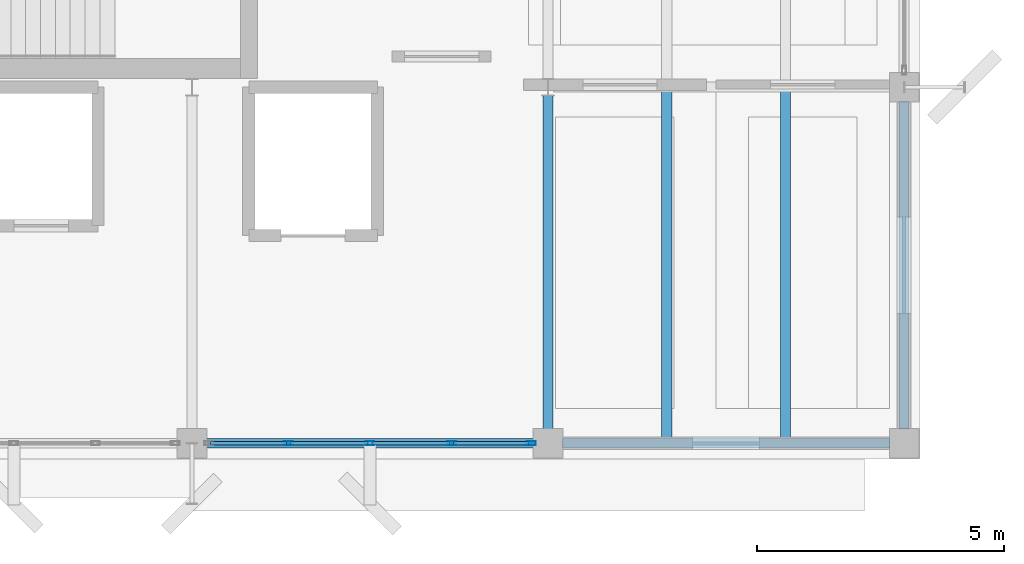
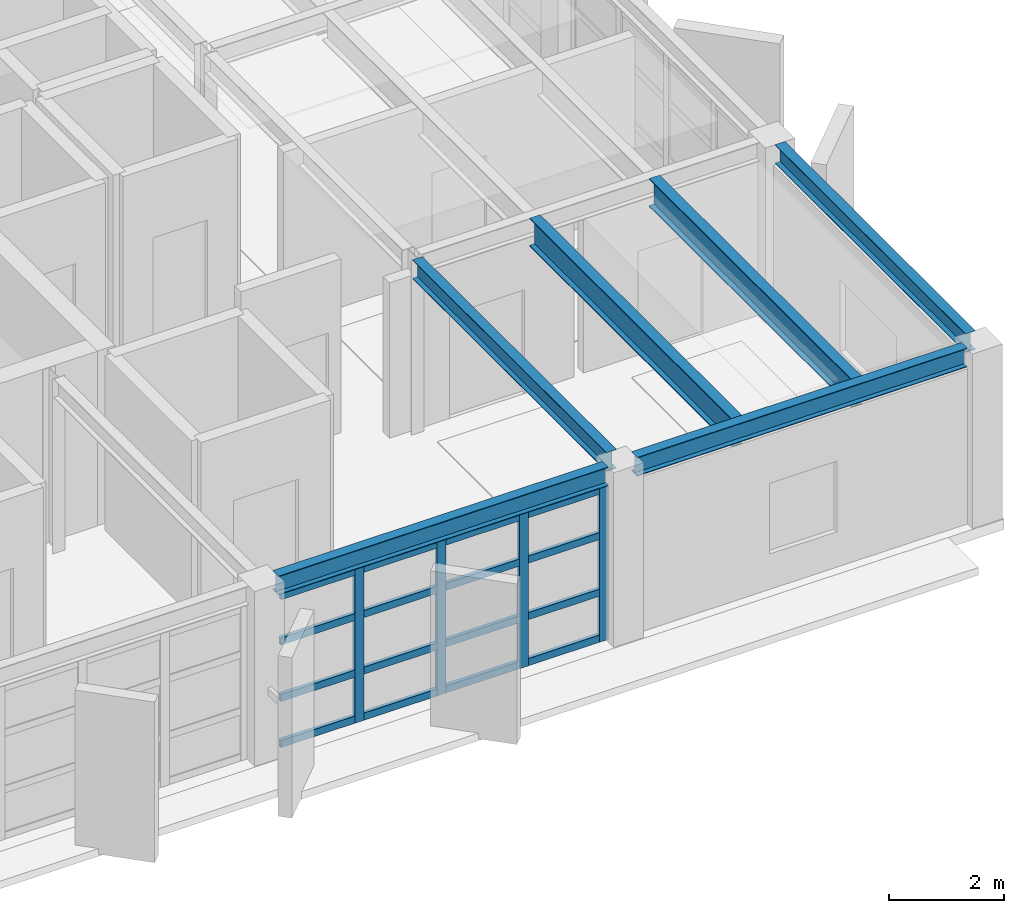
# One storey, part 5 of 15: 20 members, 6 beams, 1 element without a shape of its own.
"""IFC4 building model written with IfcOpenShell, lengths in metres."""

from ifc_helpers import new_model, si_unit, direction, frame, origin, origin_2d, place, context, subcontext, project, spatial, hollow_rectangle, i_section, extrude, material, layer, layer_set, material_profile, profile_set, type_object, element, aggregate, save


model = new_model("IFC4")

# Units and contexts
model_context = context("Model", 3, precision=1e-05, world=origin(), true_north=direction((0.0, 1.0)))
body_context = subcontext(model_context, "Body", "Model", "MODEL_VIEW")
ifc_project = project(units=[si_unit("LENGTHUNIT", "METRE"), si_unit("AREAUNIT", "SQUARE_METRE"), si_unit("VOLUMEUNIT", "CUBIC_METRE"), si_unit("PLANEANGLEUNIT", "RADIAN"), si_unit("MASSUNIT", "GRAM", prefix="KILO")], contexts=[model_context])

# Site, building, storey
site_placement = place(None, origin())
site = spatial("IfcSite", under=ifc_project, at=site_placement, CompositionType="ELEMENT")
building_placement = place(site_placement, origin())
building = spatial("IfcBuilding", under=site, at=building_placement, Name="Kandorven Conservatory and Botanical Research Centre", CompositionType="ELEMENT")
storey_placement = place(building_placement, frame((0.0, 0.0, 52.199951171875)))
storey = spatial("IfcBuildingStorey", under=building, at=storey_placement, Name="L13", CompositionType="ELEMENT", Elevation=52.199951171875)

# Beams
ifc_material_1 = material(Name="Steel S355 (IS 2062 E350)", Category="steel")
ifc_material_profile_1 = material_profile(ifc_material_1, i_section(OverallWidth=0.199951171875, OverallDepth=0.39990234375, WebThickness=0.008544921875, FlangeThickness=0.012939453125, at=origin_2d()))
ifc_profile_set_1 = profile_set([ifc_material_profile_1], Name="Steel S355 (IS 2062 E350)")
beam_type_1 = type_object("IfcBeamType", Name="Beam_FG-03", PredefinedType="USERDEFINED", material=ifc_profile_set_1)
for number, where, z_axis, x_axis, name in (
    (1, (20.68994140625, 6.0, 3.505126953125), (1.0, 0.0, 0.0), (0.0, 1.0, 0.0), "Primary girder FG-03 TWR L13"),
    (2, (27.889892578125, 6.0, 3.505126953125), (1.0, 0.0, 0.0), (0.0, 1.0, 0.0), "Primary girder FG-03 TWR L13"),
):
    element("IfcBeam", number, at=place(storey_placement, frame(where, z_axis=z_axis, x_axis=x_axis)), inside=storey, type_object=beam_type_1, Name=name, ObjectType="GIRDER", PredefinedType="USERDEFINED", context=body_context, shape_type="SweptSolid", body=[
        extrude(i_section(OverallWidth=0.199951171875, OverallDepth=0.39990234375, WebThickness=0.008544921875, FlangeThickness=0.012939453125, at=origin_2d()), origin(), (0.0, 0.0, 1.0), 6.6201171875),
    ])
beam_1_placement = place(storey_placement, frame((27.60009765625, 6.2900390625, 3.505126953125), z_axis=(0.0, 1.0, 0.0), x_axis=(-1.0, 0.0, 0.0)))
element("IfcBeam", 3, at=beam_1_placement, inside=storey, type_object=beam_type_1, Name="Primary girder FG-03 TWR L13", ObjectType="GIRDER", PredefinedType="USERDEFINED", context=body_context, shape_type="SweptSolid", body=[
    extrude(i_section(OverallWidth=0.199951171875, OverallDepth=0.39990234375, WebThickness=0.008544921875, FlangeThickness=0.012939453125, at=origin_2d()), origin(), (0.0, 0.0, 1.0), 6.744873046875),
])
beam_2_placement = place(storey_placement, frame((34.800048828125, 6.2900390625, 3.505126953125), z_axis=(0.0, 1.0, 0.0), x_axis=(-1.0, 0.0, 0.0)))
element("IfcBeam", 4, at=beam_2_placement, inside=storey, type_object=beam_type_1, Name="Primary girder FG-03 TWR L13", ObjectType="GIRDER", PredefinedType="USERDEFINED", context=body_context, shape_type="SweptSolid", body=[
    extrude(i_section(OverallWidth=0.199951171875, OverallDepth=0.39990234375, WebThickness=0.008544921875, FlangeThickness=0.012939453125, at=origin_2d()), origin(), (0.0, 0.0, 1.0), 6.619873046875),
])
ifc_material_2 = material(Name="Steel S355 (IS 2062 E350)", Category="steel")
ifc_material_profile_2 = material_profile(ifc_material_2, i_section(OverallWidth=0.2099609375, OverallDepth=0.60009765625, WebThickness=0.011962890625, FlangeThickness=0.020751953125, at=origin_2d()))
ifc_profile_set_2 = profile_set([ifc_material_profile_2], Name="Steel S355 (IS 2062 E350)")
beam_type_2 = type_object("IfcBeamType", Name="Beam_SB-01", PredefinedType="BEAM", material=ifc_profile_set_2)
for number, where, z_axis, x_axis, name in (
    (5, (30.0, 6.0849609375, 3.405029296875), (0.0, 1.0, 0.0), (-1.0, 0.0, 0.0), "Composite secondary beam SB-01 TWR L13"),
    (6, (32.39990234375, 6.0849609375, 3.405029296875), (0.0, 1.0, 0.0), (-1.0, 0.0, 0.0), "Composite secondary beam SB-01 TWR L13"),
):
    element("IfcBeam", number, at=place(storey_placement, frame(where, z_axis=z_axis, x_axis=x_axis)), inside=storey, type_object=beam_type_2, Name=name, PredefinedType="BEAM", context=body_context, shape_type="SweptSolid", body=[
        extrude(i_section(OverallWidth=0.2099609375, OverallDepth=0.60009765625, WebThickness=0.011962890625, FlangeThickness=0.020751953125, at=origin_2d()), origin(), (0.0, 0.0, 1.0), 7.030029296875),
    ])

# Curtain wall, members
ifc_material_3 = material(Name="Bronze anodised thermally broken aluminium", Category="aluminium")
ifc_layer = layer(ifc_material_3, 0.179931640625)
ifc_layer_set = layer_set([ifc_layer], Name="Bronze anodised thermally broken aluminium")
curtain_wall_type = type_object("IfcCurtainWallType", Name="CW_Unitised", PredefinedType="USERDEFINED", material=ifc_layer_set)
curtain_wall_placement = place(storey_placement, origin())
curtain_wall = element("IfcCurtainWall", 7, at=curtain_wall_placement, inside=storey, type_object=curtain_wall_type, Name="Tower laboratory curtain wall CW-TWR-S-L13-3", ObjectType="UNITISED GLAZING", PredefinedType="USERDEFINED")
ifc_material_4 = material(Name="Bronze anodised thermally broken aluminium", Category="aluminium")
ifc_material_profile_3 = material_profile(ifc_material_4, hollow_rectangle(XDim=0.080078125, YDim=0.179931640625, WallThickness=0.006103515625, at=origin_2d()))
ifc_profile_set_3 = profile_set([ifc_material_profile_3], Name="Bronze anodised thermally broken aluminium")
member_type_1 = type_object("IfcMemberType", Name="CW_Mullion", PredefinedType="MULLION", material=ifc_profile_set_3)
member_1_placement = place(storey_placement, frame((22.35009765625, 6.0, 0.0), z_axis=(0.0, 0.0, 1.0), x_axis=(0.0, 1.0, 0.0)))
member_1 = element("IfcMember", 8, at=member_1_placement, type_object=member_type_1, Name="CW-01 mullion 2", PredefinedType="MULLION", context=body_context, shape_type="SweptSolid", body=[
    extrude(hollow_rectangle(XDim=0.080078125, YDim=0.179931640625, WallThickness=0.006103515625, at=origin_2d()), origin(), (0.0, 0.0, 1.0), 3.28515625),
])
member_2_placement = place(storey_placement, frame((24.0, 6.0, 0.0), z_axis=(0.0, 0.0, 1.0), x_axis=(0.0, 1.0, 0.0)))
member_2 = element("IfcMember", 9, at=member_2_placement, type_object=member_type_1, Name="CW-01 mullion 3", PredefinedType="MULLION", context=body_context, shape_type="SweptSolid", body=[
    extrude(hollow_rectangle(XDim=0.080078125, YDim=0.179931640625, WallThickness=0.006103515625, at=origin_2d()), origin(), (0.0, 0.0, 1.0), 3.28515625),
])
member_3_placement = place(storey_placement, frame((25.64990234375, 6.0, 0.0), z_axis=(0.0, 0.0, 1.0), x_axis=(0.0, 1.0, 0.0)))
member_3 = element("IfcMember", 10, at=member_3_placement, type_object=member_type_1, Name="CW-01 mullion 4", PredefinedType="MULLION", context=body_context, shape_type="SweptSolid", body=[
    extrude(hollow_rectangle(XDim=0.080078125, YDim=0.179931640625, WallThickness=0.006103515625, at=origin_2d()), origin(), (0.0, 0.0, 1.0), 3.28515625),
])
member_4_placement = place(storey_placement, frame((27.260009765625, 6.0, 0.0), z_axis=(0.0, 0.0, 1.0), x_axis=(0.0, 1.0, 0.0)))
member_4 = element("IfcMember", 11, at=member_4_placement, type_object=member_type_1, Name="CW-01 mullion 5", PredefinedType="MULLION", context=body_context, shape_type="SweptSolid", body=[
    extrude(hollow_rectangle(XDim=0.080078125, YDim=0.179931640625, WallThickness=0.006103515625, at=origin_2d()), origin(), (0.0, 0.0, 1.0), 3.28515625),
])
ifc_material_5 = material(Name="Bronze anodised thermally broken aluminium", Category="aluminium")
ifc_material_profile_4 = material_profile(ifc_material_5, hollow_rectangle(XDim=0.074951171875, YDim=0.14990234375, WallThickness=0.006103515625, at=origin_2d()))
ifc_profile_set_4 = profile_set([ifc_material_profile_4], Name="Bronze anodised thermally broken aluminium")
member_type_2 = type_object("IfcMemberType", Name="CW_Transom", PredefinedType="USERDEFINED", material=ifc_profile_set_4)
member_5_placement = place(storey_placement, frame((20.780029296875, 6.0, 0.074951171875), z_axis=(1.0, 0.0, 0.0), x_axis=(0.0, 1.0, 0.0)))
member_5 = element("IfcMember", 12, at=member_5_placement, type_object=member_type_2, Name="CW-01 transom 1.1", ObjectType="TRANSOM", PredefinedType="USERDEFINED", context=body_context, shape_type="SweptSolid", body=[
    extrude(hollow_rectangle(XDim=0.074951171875, YDim=0.14990234375, WallThickness=0.006103515625, at=origin_2d()), origin(), (0.0, 0.0, 1.0), 1.530029296875),
])
member_6_placement = place(storey_placement, frame((20.780029296875, 6.0, 1.050048828125), z_axis=(1.0, 0.0, 0.0), x_axis=(0.0, 1.0, 0.0)))
member_6 = element("IfcMember", 13, at=member_6_placement, type_object=member_type_2, Name="CW-01 transom 1.2", ObjectType="TRANSOM", PredefinedType="USERDEFINED", context=body_context, shape_type="SweptSolid", body=[
    extrude(hollow_rectangle(XDim=0.074951171875, YDim=0.14990234375, WallThickness=0.006103515625, at=origin_2d()), origin(), (0.0, 0.0, 1.0), 1.530029296875),
])
member_7_placement = place(storey_placement, frame((20.780029296875, 6.0, 2.25), z_axis=(1.0, 0.0, 0.0), x_axis=(0.0, 1.0, 0.0)))
member_7 = element("IfcMember", 14, at=member_7_placement, type_object=member_type_2, Name="CW-01 transom 1.3", ObjectType="TRANSOM", PredefinedType="USERDEFINED", context=body_context, shape_type="SweptSolid", body=[
    extrude(hollow_rectangle(XDim=0.074951171875, YDim=0.14990234375, WallThickness=0.006103515625, at=origin_2d()), origin(), (0.0, 0.0, 1.0), 1.530029296875),
])
member_8_placement = place(storey_placement, frame((20.780029296875, 6.0, 3.2099609375), z_axis=(1.0, 0.0, 0.0), x_axis=(0.0, 1.0, 0.0)))
member_8 = element("IfcMember", 15, at=member_8_placement, type_object=member_type_2, Name="CW-01 transom 1.4", ObjectType="TRANSOM", PredefinedType="USERDEFINED", context=body_context, shape_type="SweptSolid", body=[
    extrude(hollow_rectangle(XDim=0.074951171875, YDim=0.14990234375, WallThickness=0.006103515625, at=origin_2d()), origin(), (0.0, 0.0, 1.0), 1.530029296875),
])
member_9_placement = place(storey_placement, frame((22.389892578125, 6.0, 0.074951171875), z_axis=(1.0, 0.0, 0.0), x_axis=(0.0, 1.0, 0.0)))
member_9 = element("IfcMember", 16, at=member_9_placement, type_object=member_type_2, Name="CW-01 transom 2.1", ObjectType="TRANSOM", PredefinedType="USERDEFINED", context=body_context, shape_type="SweptSolid", body=[
    extrude(hollow_rectangle(XDim=0.074951171875, YDim=0.14990234375, WallThickness=0.006103515625, at=origin_2d()), origin(), (0.0, 0.0, 1.0), 1.570068359375),
])
member_10_placement = place(storey_placement, frame((22.389892578125, 6.0, 1.050048828125), z_axis=(1.0, 0.0, 0.0), x_axis=(0.0, 1.0, 0.0)))
member_10 = element("IfcMember", 17, at=member_10_placement, type_object=member_type_2, Name="CW-01 transom 2.2", ObjectType="TRANSOM", PredefinedType="USERDEFINED", context=body_context, shape_type="SweptSolid", body=[
    extrude(hollow_rectangle(XDim=0.074951171875, YDim=0.14990234375, WallThickness=0.006103515625, at=origin_2d()), origin(), (0.0, 0.0, 1.0), 1.570068359375),
])
member_11_placement = place(storey_placement, frame((22.389892578125, 6.0, 2.25), z_axis=(1.0, 0.0, 0.0), x_axis=(0.0, 1.0, 0.0)))
member_11 = element("IfcMember", 18, at=member_11_placement, type_object=member_type_2, Name="CW-01 transom 2.3", ObjectType="TRANSOM", PredefinedType="USERDEFINED", context=body_context, shape_type="SweptSolid", body=[
    extrude(hollow_rectangle(XDim=0.074951171875, YDim=0.14990234375, WallThickness=0.006103515625, at=origin_2d()), origin(), (0.0, 0.0, 1.0), 1.570068359375),
])
member_12_placement = place(storey_placement, frame((22.389892578125, 6.0, 3.2099609375), z_axis=(1.0, 0.0, 0.0), x_axis=(0.0, 1.0, 0.0)))
member_12 = element("IfcMember", 19, at=member_12_placement, type_object=member_type_2, Name="CW-01 transom 2.4", ObjectType="TRANSOM", PredefinedType="USERDEFINED", context=body_context, shape_type="SweptSolid", body=[
    extrude(hollow_rectangle(XDim=0.074951171875, YDim=0.14990234375, WallThickness=0.006103515625, at=origin_2d()), origin(), (0.0, 0.0, 1.0), 1.570068359375),
])
member_13_placement = place(storey_placement, frame((24.0400390625, 6.0, 0.074951171875), z_axis=(1.0, 0.0, 0.0), x_axis=(0.0, 1.0, 0.0)))
member_13 = element("IfcMember", 20, at=member_13_placement, type_object=member_type_2, Name="CW-01 transom 3.1", ObjectType="TRANSOM", PredefinedType="USERDEFINED", context=body_context, shape_type="SweptSolid", body=[
    extrude(hollow_rectangle(XDim=0.074951171875, YDim=0.14990234375, WallThickness=0.006103515625, at=origin_2d()), origin(), (0.0, 0.0, 1.0), 1.570068359375),
])
member_14_placement = place(storey_placement, frame((24.0400390625, 6.0, 1.050048828125), z_axis=(1.0, 0.0, 0.0), x_axis=(0.0, 1.0, 0.0)))
member_14 = element("IfcMember", 21, at=member_14_placement, type_object=member_type_2, Name="CW-01 transom 3.2", ObjectType="TRANSOM", PredefinedType="USERDEFINED", context=body_context, shape_type="SweptSolid", body=[
    extrude(hollow_rectangle(XDim=0.074951171875, YDim=0.14990234375, WallThickness=0.006103515625, at=origin_2d()), origin(), (0.0, 0.0, 1.0), 1.570068359375),
])
member_15_placement = place(storey_placement, frame((24.0400390625, 6.0, 2.25), z_axis=(1.0, 0.0, 0.0), x_axis=(0.0, 1.0, 0.0)))
member_15 = element("IfcMember", 22, at=member_15_placement, type_object=member_type_2, Name="CW-01 transom 3.3", ObjectType="TRANSOM", PredefinedType="USERDEFINED", context=body_context, shape_type="SweptSolid", body=[
    extrude(hollow_rectangle(XDim=0.074951171875, YDim=0.14990234375, WallThickness=0.006103515625, at=origin_2d()), origin(), (0.0, 0.0, 1.0), 1.570068359375),
])
member_16_placement = place(storey_placement, frame((24.0400390625, 6.0, 3.2099609375), z_axis=(1.0, 0.0, 0.0), x_axis=(0.0, 1.0, 0.0)))
member_16 = element("IfcMember", 23, at=member_16_placement, type_object=member_type_2, Name="CW-01 transom 3.4", ObjectType="TRANSOM", PredefinedType="USERDEFINED", context=body_context, shape_type="SweptSolid", body=[
    extrude(hollow_rectangle(XDim=0.074951171875, YDim=0.14990234375, WallThickness=0.006103515625, at=origin_2d()), origin(), (0.0, 0.0, 1.0), 1.570068359375),
])
member_17_placement = place(storey_placement, frame((25.68994140625, 6.0, 0.074951171875), z_axis=(1.0, 0.0, 0.0), x_axis=(0.0, 1.0, 0.0)))
member_17 = element("IfcMember", 24, at=member_17_placement, type_object=member_type_2, Name="CW-01 transom 4.1", ObjectType="TRANSOM", PredefinedType="USERDEFINED", context=body_context, shape_type="SweptSolid", body=[
    extrude(hollow_rectangle(XDim=0.074951171875, YDim=0.14990234375, WallThickness=0.006103515625, at=origin_2d()), origin(), (0.0, 0.0, 1.0), 1.530029296875),
])
member_18_placement = place(storey_placement, frame((25.68994140625, 6.0, 1.050048828125), z_axis=(1.0, 0.0, 0.0), x_axis=(0.0, 1.0, 0.0)))
member_18 = element("IfcMember", 25, at=member_18_placement, type_object=member_type_2, Name="CW-01 transom 4.2", ObjectType="TRANSOM", PredefinedType="USERDEFINED", context=body_context, shape_type="SweptSolid", body=[
    extrude(hollow_rectangle(XDim=0.074951171875, YDim=0.14990234375, WallThickness=0.006103515625, at=origin_2d()), origin(), (0.0, 0.0, 1.0), 1.530029296875),
])
member_19_placement = place(storey_placement, frame((25.68994140625, 6.0, 2.25), z_axis=(1.0, 0.0, 0.0), x_axis=(0.0, 1.0, 0.0)))
member_19 = element("IfcMember", 26, at=member_19_placement, type_object=member_type_2, Name="CW-01 transom 4.3", ObjectType="TRANSOM", PredefinedType="USERDEFINED", context=body_context, shape_type="SweptSolid", body=[
    extrude(hollow_rectangle(XDim=0.074951171875, YDim=0.14990234375, WallThickness=0.006103515625, at=origin_2d()), origin(), (0.0, 0.0, 1.0), 1.530029296875),
])
member_20_placement = place(storey_placement, frame((25.68994140625, 6.0, 3.2099609375), z_axis=(1.0, 0.0, 0.0), x_axis=(0.0, 1.0, 0.0)))
member_20 = element("IfcMember", 27, at=member_20_placement, type_object=member_type_2, Name="CW-01 transom 4.4", ObjectType="TRANSOM", PredefinedType="USERDEFINED", context=body_context, shape_type="SweptSolid", body=[
    extrude(hollow_rectangle(XDim=0.074951171875, YDim=0.14990234375, WallThickness=0.006103515625, at=origin_2d()), origin(), (0.0, 0.0, 1.0), 1.530029296875),
])
aggregate(curtain_wall, [member_1, member_2, member_3, member_4, member_5, member_6, member_7, member_8, member_9, member_10, member_11, member_12, member_13, member_14, member_15, member_16, member_17, member_18, member_19, member_20])

save(model, "model.ifc")
